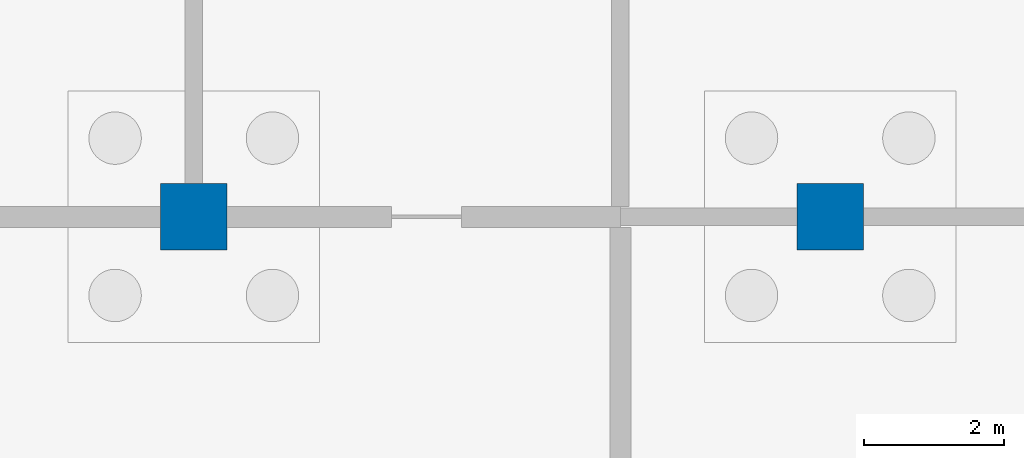
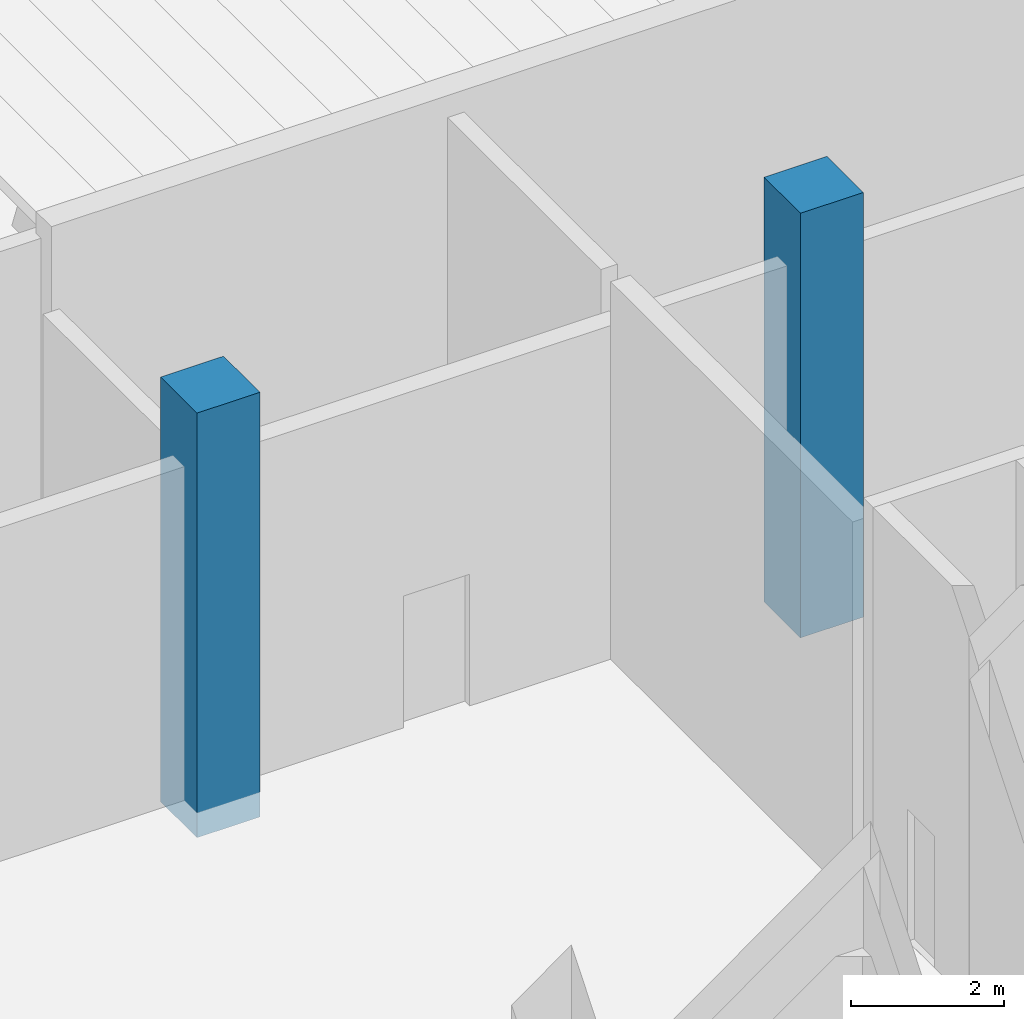
# One storey, part 14 of 129: 2 columns.
"""IFC4 building model written with IfcOpenShell, lengths in metres."""

from ifc_helpers import new_model, si_unit, direction, frame, origin, origin_2d, place, context, subcontext, project, spatial, rectangle, extrude, material, material_profile, profile_set, type_object, element, save


model = new_model("IFC4")

# Units and contexts
model_context = context("Model", 3, precision=1e-05, world=origin(), true_north=direction((0.0, 1.0)))
body_context = subcontext(model_context, "Body", "Model", "MODEL_VIEW")
ifc_project = project(units=[si_unit("LENGTHUNIT", "METRE"), si_unit("AREAUNIT", "SQUARE_METRE"), si_unit("VOLUMEUNIT", "CUBIC_METRE"), si_unit("PLANEANGLEUNIT", "RADIAN"), si_unit("MASSUNIT", "GRAM", prefix="KILO")], contexts=[model_context])

# Site, building, storey
site_placement = place(None, origin())
site = spatial("IfcSite", under=ifc_project, at=site_placement, CompositionType="ELEMENT")
building_placement = place(site_placement, origin())
building = spatial("IfcBuilding", under=site, at=building_placement, Name="Shirokan Park Arena", CompositionType="ELEMENT")
storey_placement = place(building_placement, origin())
storey = spatial("IfcBuildingStorey", under=building, at=storey_placement, Name="L00", CompositionType="ELEMENT", Elevation=0.0)

# Columns
ifc_material = material(Name="Concrete C35", Category="concrete")
ifc_material_profile = material_profile(ifc_material, rectangle(XDim=0.949951171875, YDim=0.949951171875, at=origin_2d()), Name="950x950")
ifc_profile_set = profile_set([ifc_material_profile], Name="Concrete C35")
column_type = type_object("IfcColumnType", Name="RC column 950x950", PredefinedType="COLUMN", material=ifc_profile_set)
for number, where, z_axis, x_axis, name in (
    (1, (18.199951171875, 36.39990234375, -0.39990234375), (0.0, 0.0, 1.0), (1.0, 0.0, 0.0), "Column 3E L00"),
    (2, (27.300048828125, 36.39990234375, -0.39990234375), (0.0, 0.0, 1.0), (1.0, 0.0, 0.0), "Column 4E L00"),
):
    element("IfcColumn", number, at=place(storey_placement, frame(where, z_axis=z_axis, x_axis=x_axis)), inside=storey, type_object=column_type, Name=name, PredefinedType="COLUMN", context=body_context, shape_type="SweptSolid", body=[
        extrude(rectangle(XDim=0.949951171875, YDim=0.949951171875, at=origin_2d()), origin(), (0.0, 0.0, 1.0), 6.77001953125),
    ])

save(model, "model.ifc")
